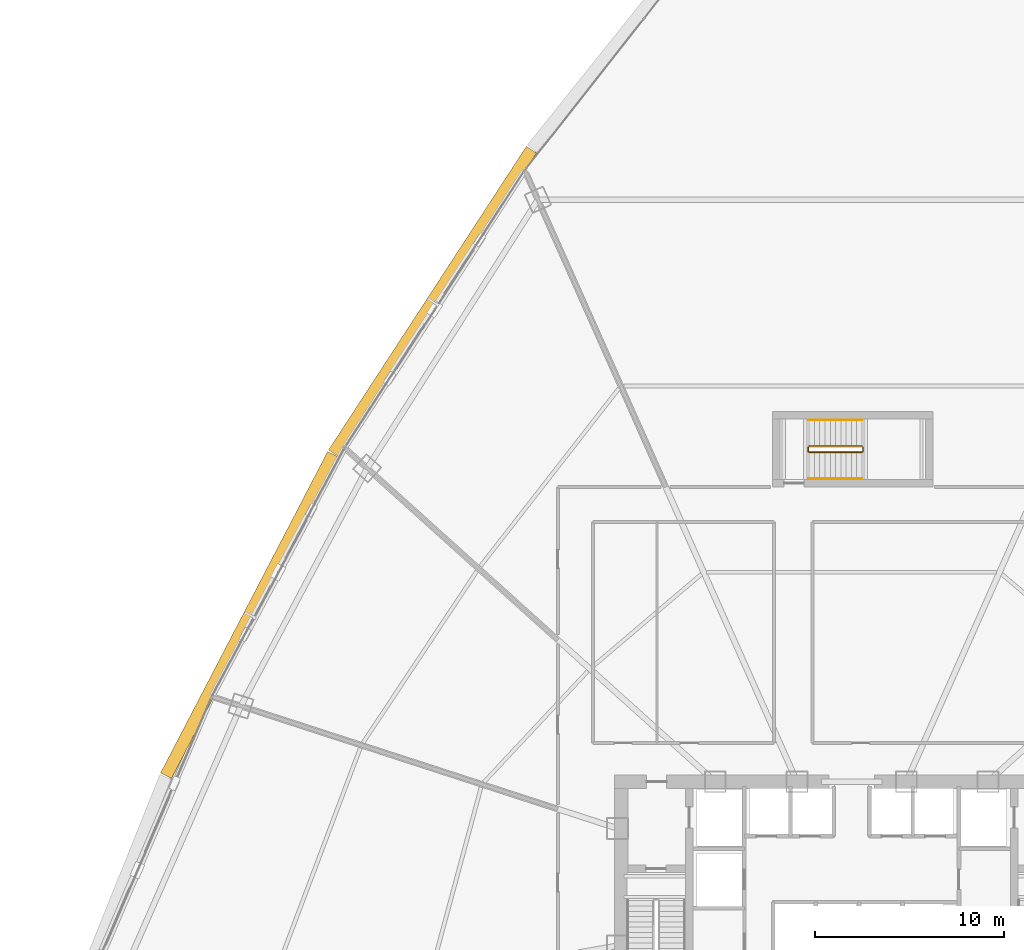
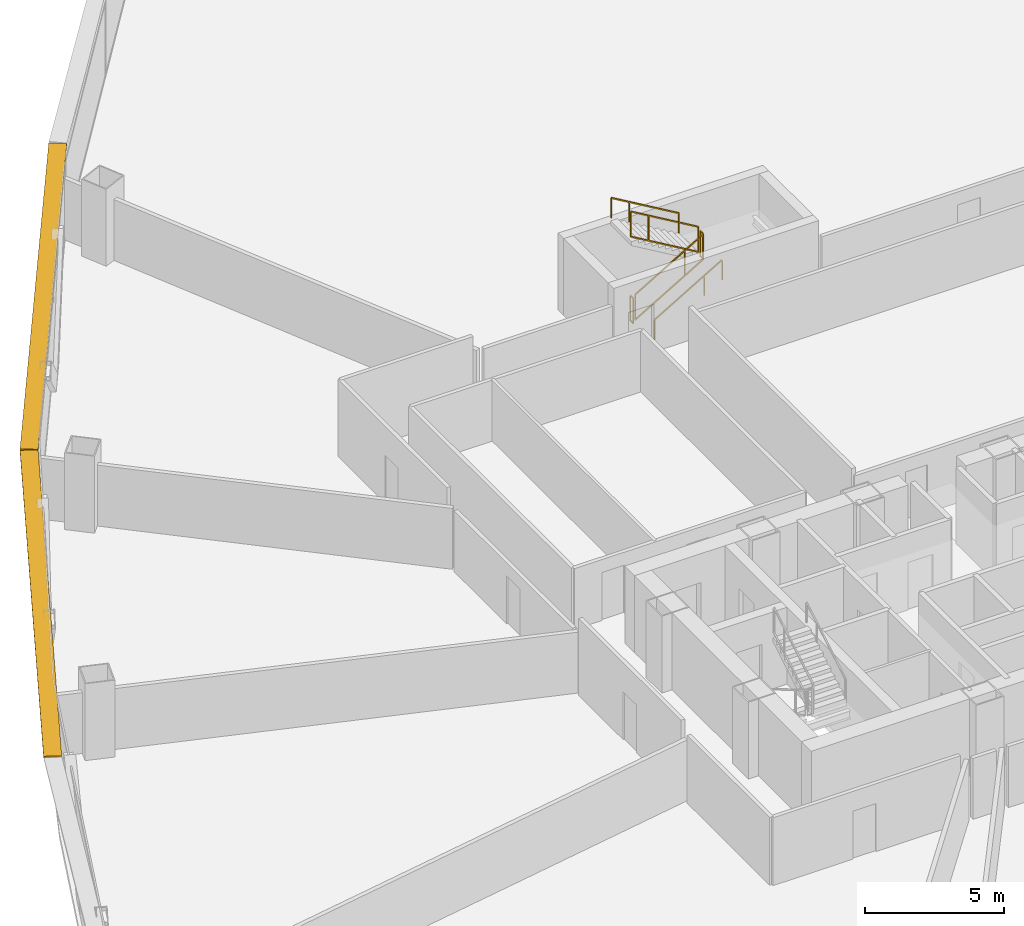
# One storey, part 41 of 42: 6 railings, 2 shading devices.
"""IFC4 building model written with IfcOpenShell, lengths in metres."""

from ifc_helpers import new_model, si_unit, direction, frame, origin, origin_2d, place, context, subcontext, project, spatial, rectangle, extrude, source, transform, mapped, material, layer, layer_set, type_object, element, save


model = new_model("IFC4")

# Units and contexts
model_context = context("Model", 3, precision=1e-05, world=origin(), true_north=direction((0.0, 1.0)))
body_context = subcontext(model_context, "Body", "Model", "MODEL_VIEW")
ifc_project = project(units=[si_unit("LENGTHUNIT", "METRE"), si_unit("AREAUNIT", "SQUARE_METRE"), si_unit("VOLUMEUNIT", "CUBIC_METRE"), si_unit("PLANEANGLEUNIT", "RADIAN"), si_unit("MASSUNIT", "GRAM", prefix="KILO"), si_unit("THERMODYNAMICTEMPERATUREUNIT", "KELVIN"), si_unit("POWERUNIT", "WATT")], contexts=[model_context])

# Site, building, storey
site_placement = place(None, origin())
site = spatial("IfcSite", under=ifc_project, at=site_placement, CompositionType="ELEMENT")
building_placement = place(site_placement, origin())
building = spatial("IfcBuilding", under=site, at=building_placement, Name="Yunzhuo Pagoda Commons", CompositionType="ELEMENT")
storey_placement = place(building_placement, frame((0.0, 0.0, 41.2900390625)))
storey = spatial("IfcBuildingStorey", under=building, at=storey_placement, Name="L10", CompositionType="ELEMENT", Elevation=41.2900390625)

# Railings
ifc_material = material(Name="Anodized aluminium 6063-T6", Category="aluminium")
railing_type_1 = type_object("IfcRailingType", Name="GR-ST3 North Well Guardrail 1155", PredefinedType="GUARDRAIL", material=ifc_material)
railing_1_placement = place(storey_placement, frame((45.75, 57.64990234375, 0.1650390625)))
element("IfcRailing", 1, at=railing_1_placement, inside=storey, type_object=railing_type_1, Name="L10 ST3 stair guard 1", PredefinedType="GUARDRAIL", context=body_context, shape_type="SweptSolid", body=[
    extrude(rectangle(XDim=0.048095703125, YDim=0.048095703125, at=origin_2d()), frame((0.0, 0.0, 1.1259765625), z_axis=(0.861555476484, 0.0, 0.507663432739), x_axis=(0.0, 1.0, 0.0)), (0.0, 0.0, 1.0), 3.25),
    extrude(rectangle(XDim=0.048095703125, YDim=0.048095703125, at=origin_2d()), frame((0.0, 0.0, 0.02392578125), z_axis=(0.861555476484, 0.0, 0.507663432739), x_axis=(0.0, 1.0, 0.0)), (0.0, 0.0, 1.0), 3.25),
    extrude(rectangle(XDim=0.0419921875, YDim=0.0419921875, at=origin_2d()), origin(), (0.0, 0.0, 1.0), 1.101806640625),
    extrude(rectangle(XDim=0.0419921875, YDim=0.0419921875, at=origin_2d()), frame((2.067626953125, 0.0, 1.218505859375)), (0.0, 0.0, 1.0), 1.101806640625),
    extrude(rectangle(XDim=0.0419921875, YDim=0.0419921875, at=origin_2d()), frame((2.800048828125, 0.0, 1.64990234375)), (0.0, 0.0, 1.0), 1.101806640625),
])
railing_2_placement = place(storey_placement, frame((48.60009765625, 57.699951171875, 1.81494140625)))
element("IfcRailing", 2, at=railing_2_placement, inside=storey, type_object=railing_type_1, Name="L10 ST3 stair guard 2", PredefinedType="GUARDRAIL", context=body_context, shape_type="SweptSolid", body=[
    extrude(rectangle(XDim=0.048095703125, YDim=0.048095703125, at=origin_2d()), frame((0.0, 0.0, 1.1259765625), z_axis=(0.0, 1.0, 0.0), x_axis=(-1.0, 0.0, 0.0)), (0.0, 0.0, 1.0), 0.199951171875),
    extrude(rectangle(XDim=0.048095703125, YDim=0.048095703125, at=origin_2d()), frame((0.0, 0.0, 0.02392578125), z_axis=(0.0, 1.0, 0.0), x_axis=(-1.0, 0.0, 0.0)), (0.0, 0.0, 1.0), 0.199951171875),
    extrude(rectangle(XDim=0.0419921875, YDim=0.0419921875, at=origin_2d()), origin(), (0.0, 0.0, 1.0), 1.101806640625),
    extrude(rectangle(XDim=0.0419921875, YDim=0.0419921875, at=origin_2d()), frame((0.0, 0.199951171875, 0.0)), (0.0, 0.0, 1.0), 1.101806640625),
])
railing_3_placement = place(storey_placement, frame((48.550048828125, 57.949951171875, 1.97998046875)))
element("IfcRailing", 3, at=railing_3_placement, inside=storey, type_object=railing_type_1, Name="L10 ST3 stair guard 3", PredefinedType="GUARDRAIL", context=body_context, shape_type="SweptSolid", body=[
    extrude(rectangle(XDim=0.048095703125, YDim=0.048095703125, at=origin_2d()), frame((0.0, 0.0, 1.1259765625), z_axis=(-0.861555476484, 0.0, 0.507663432739), x_axis=(0.0, -1.0, 0.0)), (0.0, 0.0, 1.0), 3.25),
    extrude(rectangle(XDim=0.048095703125, YDim=0.048095703125, at=origin_2d()), frame((0.0, 0.0, 0.02392578125), z_axis=(-0.861555476484, 0.0, 0.507663432739), x_axis=(0.0, -1.0, 0.0)), (0.0, 0.0, 1.0), 3.25),
    extrude(rectangle(XDim=0.0419921875, YDim=0.0419921875, at=origin_2d()), origin(), (0.0, 0.0, 1.0), 1.101806640625),
    extrude(rectangle(XDim=0.0419921875, YDim=0.0419921875, at=origin_2d()), frame((-2.067626953125, 0.0, 1.218505859375)), (0.0, 0.0, 1.0), 1.101806640625),
    extrude(rectangle(XDim=0.0419921875, YDim=0.0419921875, at=origin_2d()), frame((-2.800048828125, 0.0, 1.64990234375)), (0.0, 0.0, 1.0), 1.101806640625),
])
railing_4_placement = place(storey_placement, frame((45.699951171875, 57.699951171875, 0.0)))
element("IfcRailing", 4, at=railing_4_placement, inside=storey, type_object=railing_type_1, Name="L10 ST3 stair guard 4", PredefinedType="GUARDRAIL", context=body_context, shape_type="SweptSolid", body=[
    extrude(rectangle(XDim=0.048095703125, YDim=0.048095703125, at=origin_2d()), frame((0.0, 0.0, 1.1259765625), z_axis=(0.0, 1.0, 0.0), x_axis=(-1.0, 0.0, 0.0)), (0.0, 0.0, 1.0), 0.199951171875),
    extrude(rectangle(XDim=0.048095703125, YDim=0.048095703125, at=origin_2d()), frame((0.0, 0.0, 0.02392578125), z_axis=(0.0, 1.0, 0.0), x_axis=(-1.0, 0.0, 0.0)), (0.0, 0.0, 1.0), 0.199951171875),
    extrude(rectangle(XDim=0.0419921875, YDim=0.0419921875, at=origin_2d()), origin(), (0.0, 0.0, 1.0), 1.101806640625),
    extrude(rectangle(XDim=0.0419921875, YDim=0.0419921875, at=origin_2d()), frame((0.0, 0.199951171875, 0.0)), (0.0, 0.0, 1.0), 1.101806640625),
])
railing_type_2 = type_object("IfcRailingType", Name="HR-ST3 North Stair Handrail 900", PredefinedType="HANDRAIL", material=ifc_material)
railing_5_placement = place(storey_placement, frame((45.75, 56.25, 0.1650390625)))
element("IfcRailing", 5, at=railing_5_placement, inside=storey, type_object=railing_type_2, Name="L10 ST3 stair handrail 1", PredefinedType="HANDRAIL", context=body_context, shape_type="SweptSolid", body=[
    extrude(rectangle(XDim=0.048095703125, YDim=0.048095703125, at=origin_2d()), frame((0.0, 0.0, 0.8759765625), z_axis=(0.861555476484, 0.0, 0.507663432739), x_axis=(0.0, 1.0, 0.0)), (0.0, 0.0, 1.0), 3.25),
    extrude(rectangle(XDim=0.0419921875, YDim=0.0419921875, at=origin_2d()), origin(), (0.0, 0.0, 1.0), 0.851806640625),
    extrude(rectangle(XDim=0.0419921875, YDim=0.0419921875, at=origin_2d()), frame((2.067626953125, 0.0, 1.218505859375)), (0.0, 0.0, 1.0), 0.851806640625),
    extrude(rectangle(XDim=0.0419921875, YDim=0.0419921875, at=origin_2d()), frame((2.800048828125, 0.0, 1.64990234375)), (0.0, 0.0, 1.0), 0.851806640625),
])
railing_6_placement = place(storey_placement, frame((48.550048828125, 59.35009765625, 1.97998046875)))
element("IfcRailing", 6, at=railing_6_placement, inside=storey, type_object=railing_type_2, Name="L10 ST3 stair handrail 2", PredefinedType="HANDRAIL", context=body_context, shape_type="SweptSolid", body=[
    extrude(rectangle(XDim=0.048095703125, YDim=0.048095703125, at=origin_2d()), frame((0.0, 0.0, 0.8759765625), z_axis=(-0.861555476484, 0.0, 0.507663432739), x_axis=(0.0, -1.0, 0.0)), (0.0, 0.0, 1.0), 3.25),
    extrude(rectangle(XDim=0.0419921875, YDim=0.0419921875, at=origin_2d()), origin(), (0.0, 0.0, 1.0), 0.851806640625),
    extrude(rectangle(XDim=0.0419921875, YDim=0.0419921875, at=origin_2d()), frame((-2.067626953125, 0.0, 1.218505859375)), (0.0, 0.0, 1.0), 0.851806640625),
    extrude(rectangle(XDim=0.0419921875, YDim=0.0419921875, at=origin_2d()), frame((-2.800048828125, 0.0, 1.64990234375)), (0.0, 0.0, 1.0), 0.851806640625),
])

# Shading devices
ifc_layer = layer(ifc_material, 0.080078125)
ifc_layer_set = layer_set([ifc_layer], Name="Anodized aluminium 6063-T6")
shading_device_type = type_object("IfcShadingDeviceType", Name="SH-SUN1 Pagoda Horizontal Sunshade Eave 650", PredefinedType="USERDEFINED", material=ifc_layer_set)
shared_shape = source(origin(), body_context, "Body", "SweptSolid", [
    extrude(rectangle(XDim=19.1787109375, YDim=0.64990234375, at=origin_2d()), origin(), (0.0, 0.0, 1.0), 0.080078125),
])
for number, where, z_axis, x_axis, name in (
    (7, (25.813232421875, 65.62158203125, 3.2900390625), (0.0, 0.0, 1.0), (-0.545853380833, -0.837880711458, 0.0), "L10 horizontal pagoda sunshade eave F3.2"),
    (8, (16.124267578125, 49.023681640625, 3.2900390625), (0.0, 0.0, 1.0), (-0.461206683033, -0.88729273384, 0.0), "L10 horizontal pagoda sunshade eave F3.3"),
):
    element("IfcShadingDevice", number, at=place(storey_placement, frame(where, z_axis=z_axis, x_axis=x_axis)), inside=storey, type_object=shading_device_type, Name=name, ObjectType="SUNSHADE", PredefinedType="USERDEFINED", context=body_context, shape_type="MappedRepresentation", body=[
        mapped(shared_shape, transform((0.0, 0.0, 0.0), scale=1.0)),
    ])

save(model, "model.ifc")
